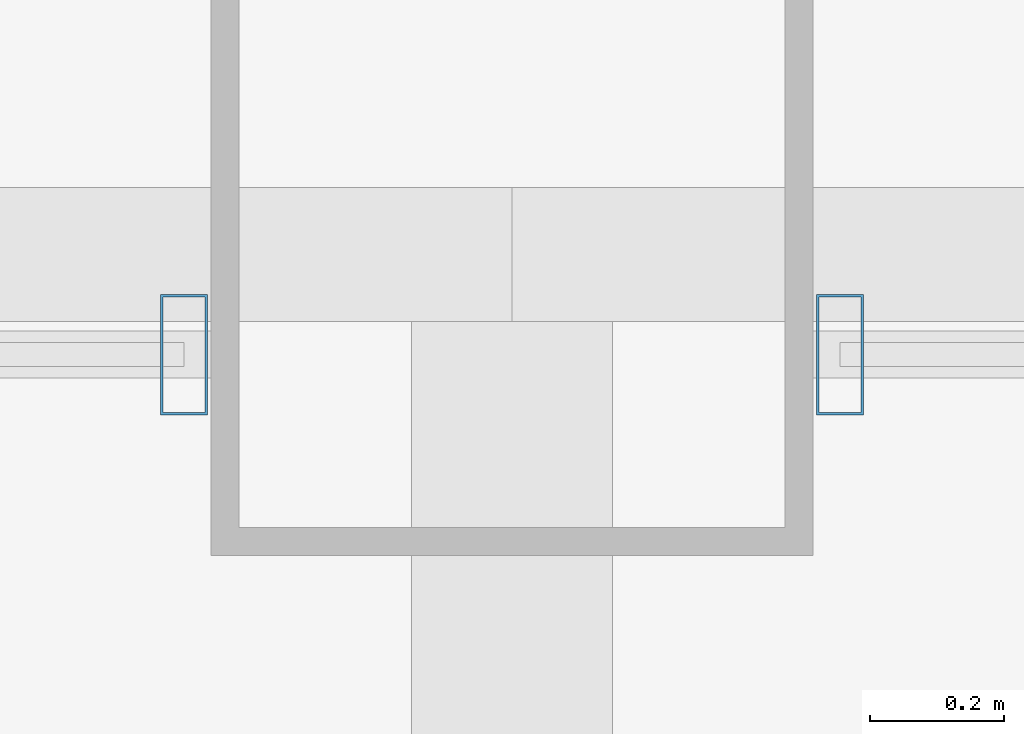
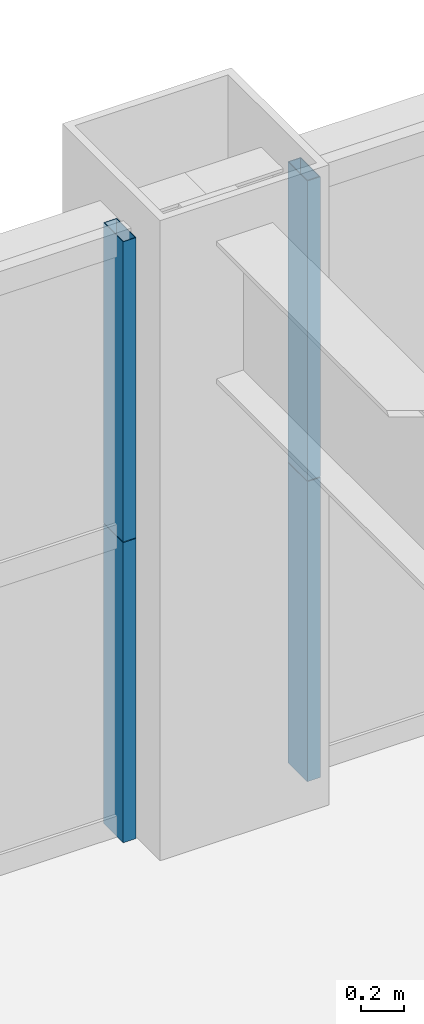
# One storey, part 30 of 43: 4 members, 2 elements without a shape of their own.
"""IFC4 building model written with IfcOpenShell, lengths in metres."""

from ifc_helpers import new_model, si_unit, direction, frame, origin, origin_2d, place, context, subcontext, project, spatial, hollow_rectangle, extrude, source, transform, mapped, material, layer, layer_set, material_profile, profile_set, type_object, element, aggregate, save


model = new_model("IFC4")

# Units and contexts
model_context = context("Model", 3, precision=1e-05, world=origin(), true_north=direction((0.0, 1.0)))
body_context = subcontext(model_context, "Body", "Model", "MODEL_VIEW")
ifc_project = project(units=[si_unit("LENGTHUNIT", "METRE"), si_unit("AREAUNIT", "SQUARE_METRE"), si_unit("VOLUMEUNIT", "CUBIC_METRE"), si_unit("PLANEANGLEUNIT", "RADIAN"), si_unit("MASSUNIT", "GRAM", prefix="KILO"), si_unit("THERMODYNAMICTEMPERATUREUNIT", "KELVIN"), si_unit("POWERUNIT", "WATT")], contexts=[model_context])

# Site, building, storey
site_placement = place(None, origin())
site = spatial("IfcSite", under=ifc_project, at=site_placement, CompositionType="ELEMENT")
building_placement = place(site_placement, origin())
building = spatial("IfcBuilding", under=site, at=building_placement, Name="Yuzanri Waterfront Tower", CompositionType="ELEMENT")
storey_placement = place(building_placement, frame((0.0, 0.0, 46.0)))
storey = spatial("IfcBuildingStorey", under=building, at=storey_placement, Name="L11", CompositionType="ELEMENT", Elevation=46.0)

# Curtain wall, members
ifc_material_1 = material(Name="Anodized Architectural Bronze", Category="metal")
ifc_layer = layer(ifc_material_1, 0.159912109375)
ifc_layer_set = layer_set([ifc_layer], Name="Anodized Architectural Bronze")
curtain_wall_type = type_object("IfcCurtainWallType", Name="Anodized Bronze Hotel Lower-Tier Recessed Unitized Curtain Wall 8100", PredefinedType="NOTDEFINED", material=ifc_layer_set)
curtain_wall_1_placement = place(storey_placement, origin())
curtain_wall_1 = element("IfcCurtainWall", 1, at=curtain_wall_1_placement, inside=storey, type_object=curtain_wall_type, Name="L11 Curtain Wall CW-L11-NL", PredefinedType="NOTDEFINED")
ifc_material_2 = material(Name="Anodized Architectural Bronze", Category="metal")
ifc_material_profile = material_profile(ifc_material_2, hollow_rectangle(XDim=0.070068359375, YDim=0.179931640625, WallThickness=0.00390625, at=origin_2d()), Name="CWM 70x180")
ifc_profile_set = profile_set([ifc_material_profile], Name="Anodized Architectural Bronze")
member_type = type_object("IfcMemberType", Name="Anodized Bronze Standard Curtain-Wall Mullion 70x180", PredefinedType="MULLION", material=ifc_profile_set)
shared_shape = source(origin(), body_context, "Body", "SweptSolid", [
    extrude(hollow_rectangle(XDim=0.070068359375, YDim=0.179931640625, WallThickness=0.00390625, at=origin_2d()), origin(), (0.0, 0.0, 1.0), 1.68798828125),
])
member_1_placement = place(storey_placement, frame((36.510009765625, 50.75, 0.0), z_axis=(0.0, 0.0, 1.0), x_axis=(1.0, 0.0, 0.0)))
member_1 = element("IfcMember", 2, at=member_1_placement, type_object=member_type, Name="CW-L11-NL Lower Mullion 02", PredefinedType="MULLION", context=body_context, shape_type="MappedRepresentation", body=[
    mapped(shared_shape, transform((0.0, 0.0, 0.0), scale=1.0)),
])
member_2_placement = place(storey_placement, frame((36.510009765625, 50.75, 1.69189453125), z_axis=(0.0, 0.0, 1.0), x_axis=(1.0, 0.0, 0.0)))
member_2 = element("IfcMember", 3, at=member_2_placement, type_object=member_type, Name="CW-L11-NL Upper Mullion 02", PredefinedType="MULLION", context=body_context, shape_type="MappedRepresentation", body=[
    mapped(shared_shape, transform((0.0, 0.0, 0.0), scale=1.0)),
])
aggregate(curtain_wall_1, [member_1, member_2])

curtain_wall_2_placement = place(storey_placement, origin())
curtain_wall_2 = element("IfcCurtainWall", 4, at=curtain_wall_2_placement, inside=storey, type_object=curtain_wall_type, Name="L11 Curtain Wall CW-L11-NR", PredefinedType="NOTDEFINED")
member_3_placement = place(storey_placement, frame((37.489990234375, 50.75, 0.0), z_axis=(0.0, 0.0, 1.0), x_axis=(1.0, 0.0, 0.0)))
member_3 = element("IfcMember", 5, at=member_3_placement, type_object=member_type, Name="CW-L11-NR Lower Mullion 00", PredefinedType="MULLION", context=body_context, shape_type="MappedRepresentation", body=[
    mapped(shared_shape, transform((0.0, 0.0, 0.0), scale=1.0)),
])
member_4_placement = place(storey_placement, frame((37.489990234375, 50.75, 1.69189453125), z_axis=(0.0, 0.0, 1.0), x_axis=(1.0, 0.0, 0.0)))
member_4 = element("IfcMember", 6, at=member_4_placement, type_object=member_type, Name="CW-L11-NR Upper Mullion 00", PredefinedType="MULLION", context=body_context, shape_type="MappedRepresentation", body=[
    mapped(shared_shape, transform((0.0, 0.0, 0.0), scale=1.0)),
])
aggregate(curtain_wall_2, [member_3, member_4])

save(model, "model.ifc")
